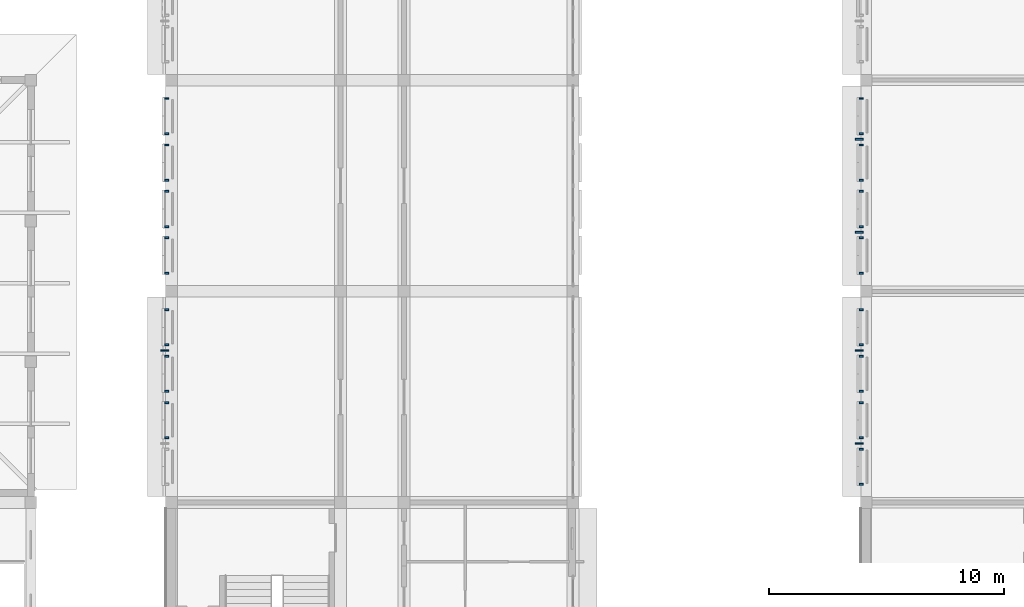
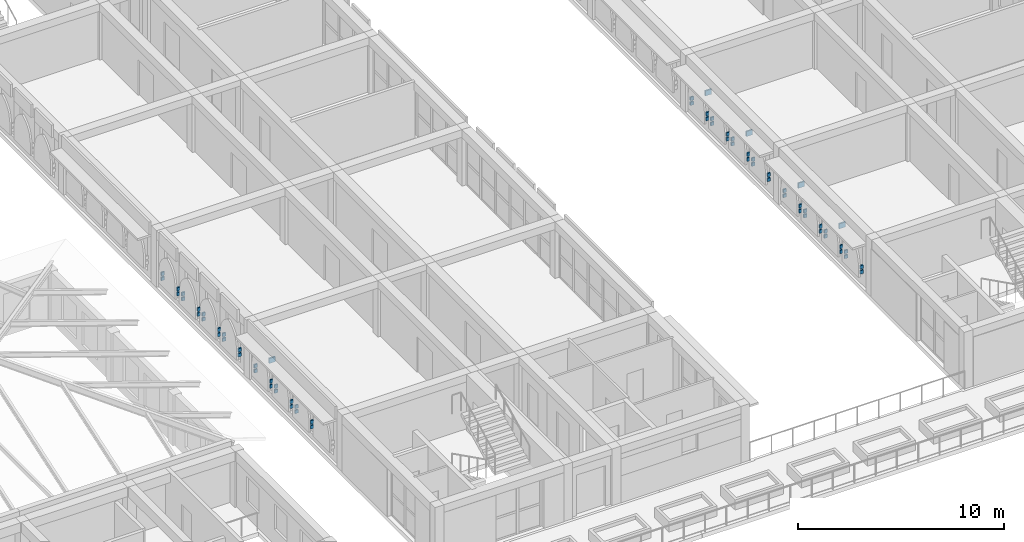
# One storey, part 62 of 82: 65 discrete accessories.
"""IFC4 building model written with IfcOpenShell, lengths in metres."""

from ifc_helpers import new_model, si_unit, direction, frame, origin, origin_2d, place, context, subcontext, project, spatial, rectangle, extrude, material, type_object, element, save


model = new_model("IFC4")

# Units and contexts
model_context = context("Model", 3, precision=1e-05, world=origin(), true_north=direction((0.0, 1.0)))
body_context = subcontext(model_context, "Body", "Model", "MODEL_VIEW")
ifc_project = project(units=[si_unit("LENGTHUNIT", "METRE"), si_unit("AREAUNIT", "SQUARE_METRE"), si_unit("VOLUMEUNIT", "CUBIC_METRE"), si_unit("PLANEANGLEUNIT", "RADIAN"), si_unit("MASSUNIT", "GRAM", prefix="KILO")], contexts=[model_context])

# Site, building, storey
site_placement = place(None, origin())
site = spatial("IfcSite", under=ifc_project, at=site_placement, CompositionType="ELEMENT")
building_placement = place(site_placement, origin())
building = spatial("IfcBuilding", under=site, at=building_placement, Name="Elbe Cascade School", CompositionType="ELEMENT")
storey_placement = place(building_placement, frame((0.0, 0.0, 4.5)))
storey = spatial("IfcBuildingStorey", under=building, at=storey_placement, Name="L01", CompositionType="ELEMENT", Elevation=4.5)

# Discrete accessories
ifc_material = material(Name="Steel S355J2, hot-dip galvanised", Category="steel")
discrete_accessory_type = type_object("IfcDiscreteAccessoryType", Name="Bars envelope Bracket, galvanised steel", PredefinedType="BRACKET", material=ifc_material)
discrete_accessory_placement = place(storey_placement, frame((68.705078125, 21.47998046875, 2.43017578125), z_axis=(0.0, 0.0, 1.0), x_axis=(0.0, 1.0, 0.0)))
element("IfcDiscreteAccessory", 1, at=discrete_accessory_placement, inside=storey, type_object=discrete_accessory_type, Name="Bracket AC7 eave.w.2.br2", PredefinedType="BRACKET", context=body_context, shape_type="SweptSolid", body=[
    extrude(rectangle(XDim=0.080078125, YDim=0.35009765625, at=origin_2d()), origin(), (0.0, 0.0, 1.0), 0.300048828125),
])
for number, where, z_axis, x_axis, name in (
    (2, (68.7900390625, 17.760009765625, 0.75), (0.0, 0.0, 1.0), (0.0, 1.0, 0.0), "Bracket AC7 jali.w.2.br2ll"),
    (3, (68.7900390625, 17.760009765625, 1.0400390625), (0.0, 0.0, 1.0), (0.0, 1.0, 0.0), "Bracket AC7 jali.w.2.br2lu"),
    (4, (68.7900390625, 19.260009765625, 0.75), (0.0, 0.0, 1.0), (0.0, 1.0, 0.0), "Bracket AC7 jali.w.2.br2rl"),
    (5, (68.7900390625, 19.260009765625, 1.0400390625), (0.0, 0.0, 1.0), (0.0, 1.0, 0.0), "Bracket AC7 jali.w.2.br2ru"),
    (6, (68.7900390625, 19.739990234375, 0.75), (0.0, 0.0, 1.0), (0.0, 1.0, 0.0), "Bracket AC7 jali.w.2.br3ll"),
    (7, (68.7900390625, 19.739990234375, 1.0400390625), (0.0, 0.0, 1.0), (0.0, 1.0, 0.0), "Bracket AC7 jali.w.2.br3lu"),
    (8, (68.7900390625, 21.239990234375, 0.75), (0.0, 0.0, 1.0), (0.0, 1.0, 0.0), "Bracket AC7 jali.w.2.br3rl"),
    (9, (68.7900390625, 21.239990234375, 1.0400390625), (0.0, 0.0, 1.0), (0.0, 1.0, 0.0), "Bracket AC7 jali.w.2.br3ru"),
    (10, (68.7900390625, 21.719970703125, 0.75), (0.0, 0.0, 1.0), (0.0, 1.0, 0.0), "Bracket AC7 jali.w.2.br4ll"),
    (11, (68.7900390625, 21.719970703125, 1.0400390625), (0.0, 0.0, 1.0), (0.0, 1.0, 0.0), "Bracket AC7 jali.w.2.br4lu"),
    (12, (68.7900390625, 23.219970703125, 0.75), (0.0, 0.0, 1.0), (0.0, 1.0, 0.0), "Bracket AC7 jali.w.2.br4rl"),
    (13, (68.7900390625, 23.219970703125, 1.0400390625), (0.0, 0.0, 1.0), (0.0, 1.0, 0.0), "Bracket AC7 jali.w.2.br4ru"),
    (14, (68.7900390625, 24.780029296875, 0.75), (0.0, 0.0, 1.0), (0.0, 1.0, 0.0), "Bracket AC7 jali.w.3.br1ll"),
    (15, (68.7900390625, 24.780029296875, 1.0400390625), (0.0, 0.0, 1.0), (0.0, 1.0, 0.0), "Bracket AC7 jali.w.3.br1lu"),
    (16, (68.7900390625, 26.280029296875, 0.75), (0.0, 0.0, 1.0), (0.0, 1.0, 0.0), "Bracket AC7 jali.w.3.br1rl"),
    (17, (68.7900390625, 26.280029296875, 1.0400390625), (0.0, 0.0, 1.0), (0.0, 1.0, 0.0), "Bracket AC7 jali.w.3.br1ru"),
    (18, (68.7900390625, 26.760009765625, 0.75), (0.0, 0.0, 1.0), (0.0, 1.0, 0.0), "Bracket AC7 jali.w.3.br2ll"),
    (19, (68.7900390625, 26.760009765625, 1.0400390625), (0.0, 0.0, 1.0), (0.0, 1.0, 0.0), "Bracket AC7 jali.w.3.br2lu"),
    (20, (68.7900390625, 28.260009765625, 0.75), (0.0, 0.0, 1.0), (0.0, 1.0, 0.0), "Bracket AC7 jali.w.3.br2rl"),
    (21, (68.7900390625, 28.260009765625, 1.0400390625), (0.0, 0.0, 1.0), (0.0, 1.0, 0.0), "Bracket AC7 jali.w.3.br2ru"),
    (22, (68.7900390625, 28.739990234375, 0.75), (0.0, 0.0, 1.0), (0.0, 1.0, 0.0), "Bracket AC7 jali.w.3.br3ll"),
    (23, (68.7900390625, 28.739990234375, 1.0400390625), (0.0, 0.0, 1.0), (0.0, 1.0, 0.0), "Bracket AC7 jali.w.3.br3lu"),
    (24, (68.7900390625, 30.239990234375, 0.75), (0.0, 0.0, 1.0), (0.0, 1.0, 0.0), "Bracket AC7 jali.w.3.br3rl"),
    (25, (68.7900390625, 30.239990234375, 1.0400390625), (0.0, 0.0, 1.0), (0.0, 1.0, 0.0), "Bracket AC7 jali.w.3.br3ru"),
    (26, (68.7900390625, 30.719970703125, 0.75), (0.0, 0.0, 1.0), (0.0, 1.0, 0.0), "Bracket AC7 jali.w.3.br4ll"),
    (27, (68.7900390625, 30.719970703125, 1.0400390625), (0.0, 0.0, 1.0), (0.0, 1.0, 0.0), "Bracket AC7 jali.w.3.br4lu"),
    (28, (68.7900390625, 32.219970703125, 0.75), (0.0, 0.0, 1.0), (0.0, 1.0, 0.0), "Bracket AC7 jali.w.3.br4rl"),
    (29, (68.7900390625, 32.219970703125, 1.0400390625), (0.0, 0.0, 1.0), (0.0, 1.0, 0.0), "Bracket AC7 jali.w.3.br4ru"),
):
    element("IfcDiscreteAccessory", number, at=place(storey_placement, frame(where, z_axis=z_axis, x_axis=x_axis)), inside=storey, type_object=discrete_accessory_type, Name=name, PredefinedType="BRACKET", context=body_context, shape_type="SweptSolid", body=[
        extrude(rectangle(XDim=0.080078125, YDim=0.179931640625, at=origin_2d()), origin(), (0.0, 0.0, 1.0), 0.199951171875),
    ])
for number, where, z_axis, x_axis, name in (
    (30, (98.304931640625, 17.52001953125, 2.43017578125), (0.0, 0.0, 1.0), (0.0, 1.0, 0.0), "Bracket AC7 eave.w.2.br1"),
    (31, (98.304931640625, 21.47998046875, 2.43017578125), (0.0, 0.0, 1.0), (0.0, 1.0, 0.0), "Bracket AC7 eave.w.2.br2"),
):
    element("IfcDiscreteAccessory", number, at=place(storey_placement, frame(where, z_axis=z_axis, x_axis=x_axis)), inside=storey, type_object=discrete_accessory_type, Name=name, PredefinedType="BRACKET", context=body_context, shape_type="SweptSolid", body=[
        extrude(rectangle(XDim=0.080078125, YDim=0.35009765625, at=origin_2d()), origin(), (0.0, 0.0, 1.0), 0.300048828125),
    ])
for number, where, z_axis, x_axis, name in (
    (32, (98.389892578125, 15.780029296875, 0.75), (0.0, 0.0, 1.0), (0.0, 1.0, 0.0), "Bracket AC7 jali.w.2.br1ll"),
    (33, (98.389892578125, 15.780029296875, 1.0400390625), (0.0, 0.0, 1.0), (0.0, 1.0, 0.0), "Bracket AC7 jali.w.2.br1lu"),
    (34, (98.389892578125, 17.280029296875, 0.75), (0.0, 0.0, 1.0), (0.0, 1.0, 0.0), "Bracket AC7 jali.w.2.br1rl"),
    (35, (98.389892578125, 17.280029296875, 1.0400390625), (0.0, 0.0, 1.0), (0.0, 1.0, 0.0), "Bracket AC7 jali.w.2.br1ru"),
    (36, (98.389892578125, 17.760009765625, 0.75), (0.0, 0.0, 1.0), (0.0, 1.0, 0.0), "Bracket AC7 jali.w.2.br2ll"),
    (37, (98.389892578125, 17.760009765625, 1.0400390625), (0.0, 0.0, 1.0), (0.0, 1.0, 0.0), "Bracket AC7 jali.w.2.br2lu"),
    (38, (98.389892578125, 19.260009765625, 0.75), (0.0, 0.0, 1.0), (0.0, 1.0, 0.0), "Bracket AC7 jali.w.2.br2rl"),
    (39, (98.389892578125, 19.260009765625, 1.0400390625), (0.0, 0.0, 1.0), (0.0, 1.0, 0.0), "Bracket AC7 jali.w.2.br2ru"),
    (40, (98.389892578125, 19.739990234375, 0.75), (0.0, 0.0, 1.0), (0.0, 1.0, 0.0), "Bracket AC7 jali.w.2.br3ll"),
    (41, (98.389892578125, 19.739990234375, 1.0400390625), (0.0, 0.0, 1.0), (0.0, 1.0, 0.0), "Bracket AC7 jali.w.2.br3lu"),
    (42, (98.389892578125, 21.239990234375, 0.75), (0.0, 0.0, 1.0), (0.0, 1.0, 0.0), "Bracket AC7 jali.w.2.br3rl"),
    (43, (98.389892578125, 21.239990234375, 1.0400390625), (0.0, 0.0, 1.0), (0.0, 1.0, 0.0), "Bracket AC7 jali.w.2.br3ru"),
    (44, (98.389892578125, 21.719970703125, 0.75), (0.0, 0.0, 1.0), (0.0, 1.0, 0.0), "Bracket AC7 jali.w.2.br4ll"),
    (45, (98.389892578125, 21.719970703125, 1.0400390625), (0.0, 0.0, 1.0), (0.0, 1.0, 0.0), "Bracket AC7 jali.w.2.br4lu"),
    (46, (98.389892578125, 23.219970703125, 0.75), (0.0, 0.0, 1.0), (0.0, 1.0, 0.0), "Bracket AC7 jali.w.2.br4rl"),
    (47, (98.389892578125, 23.219970703125, 1.0400390625), (0.0, 0.0, 1.0), (0.0, 1.0, 0.0), "Bracket AC7 jali.w.2.br4ru"),
):
    element("IfcDiscreteAccessory", number, at=place(storey_placement, frame(where, z_axis=z_axis, x_axis=x_axis)), inside=storey, type_object=discrete_accessory_type, Name=name, PredefinedType="BRACKET", context=body_context, shape_type="SweptSolid", body=[
        extrude(rectangle(XDim=0.080078125, YDim=0.179931640625, at=origin_2d()), origin(), (0.0, 0.0, 1.0), 0.199951171875),
    ])
for number, where, z_axis, x_axis, name in (
    (48, (98.304931640625, 26.52001953125, 2.43017578125), (0.0, 0.0, 1.0), (0.0, 1.0, 0.0), "Bracket AC7 eave.w.3.br1"),
    (49, (98.304931640625, 30.47998046875, 2.43017578125), (0.0, 0.0, 1.0), (0.0, 1.0, 0.0), "Bracket AC7 eave.w.3.br2"),
):
    element("IfcDiscreteAccessory", number, at=place(storey_placement, frame(where, z_axis=z_axis, x_axis=x_axis)), inside=storey, type_object=discrete_accessory_type, Name=name, PredefinedType="BRACKET", context=body_context, shape_type="SweptSolid", body=[
        extrude(rectangle(XDim=0.080078125, YDim=0.35009765625, at=origin_2d()), origin(), (0.0, 0.0, 1.0), 0.300048828125),
    ])
for number, where, z_axis, x_axis, name in (
    (50, (98.389892578125, 24.780029296875, 0.75), (0.0, 0.0, 1.0), (0.0, 1.0, 0.0), "Bracket AC7 jali.w.3.br1ll"),
    (51, (98.389892578125, 24.780029296875, 1.0400390625), (0.0, 0.0, 1.0), (0.0, 1.0, 0.0), "Bracket AC7 jali.w.3.br1lu"),
    (52, (98.389892578125, 26.280029296875, 0.75), (0.0, 0.0, 1.0), (0.0, 1.0, 0.0), "Bracket AC7 jali.w.3.br1rl"),
    (53, (98.389892578125, 26.280029296875, 1.0400390625), (0.0, 0.0, 1.0), (0.0, 1.0, 0.0), "Bracket AC7 jali.w.3.br1ru"),
    (54, (98.389892578125, 26.760009765625, 0.75), (0.0, 0.0, 1.0), (0.0, 1.0, 0.0), "Bracket AC7 jali.w.3.br2ll"),
    (55, (98.389892578125, 26.760009765625, 1.0400390625), (0.0, 0.0, 1.0), (0.0, 1.0, 0.0), "Bracket AC7 jali.w.3.br2lu"),
    (56, (98.389892578125, 28.260009765625, 0.75), (0.0, 0.0, 1.0), (0.0, 1.0, 0.0), "Bracket AC7 jali.w.3.br2rl"),
    (57, (98.389892578125, 28.260009765625, 1.0400390625), (0.0, 0.0, 1.0), (0.0, 1.0, 0.0), "Bracket AC7 jali.w.3.br2ru"),
    (58, (98.389892578125, 28.739990234375, 0.75), (0.0, 0.0, 1.0), (0.0, 1.0, 0.0), "Bracket AC7 jali.w.3.br3ll"),
    (59, (98.389892578125, 28.739990234375, 1.0400390625), (0.0, 0.0, 1.0), (0.0, 1.0, 0.0), "Bracket AC7 jali.w.3.br3lu"),
    (60, (98.389892578125, 30.239990234375, 0.75), (0.0, 0.0, 1.0), (0.0, 1.0, 0.0), "Bracket AC7 jali.w.3.br3rl"),
    (61, (98.389892578125, 30.239990234375, 1.0400390625), (0.0, 0.0, 1.0), (0.0, 1.0, 0.0), "Bracket AC7 jali.w.3.br3ru"),
    (62, (98.389892578125, 30.719970703125, 0.75), (0.0, 0.0, 1.0), (0.0, 1.0, 0.0), "Bracket AC7 jali.w.3.br4ll"),
    (63, (98.389892578125, 30.719970703125, 1.0400390625), (0.0, 0.0, 1.0), (0.0, 1.0, 0.0), "Bracket AC7 jali.w.3.br4lu"),
    (64, (98.389892578125, 32.219970703125, 0.75), (0.0, 0.0, 1.0), (0.0, 1.0, 0.0), "Bracket AC7 jali.w.3.br4rl"),
    (65, (98.389892578125, 32.219970703125, 1.0400390625), (0.0, 0.0, 1.0), (0.0, 1.0, 0.0), "Bracket AC7 jali.w.3.br4ru"),
):
    element("IfcDiscreteAccessory", number, at=place(storey_placement, frame(where, z_axis=z_axis, x_axis=x_axis)), inside=storey, type_object=discrete_accessory_type, Name=name, PredefinedType="BRACKET", context=body_context, shape_type="SweptSolid", body=[
        extrude(rectangle(XDim=0.080078125, YDim=0.179931640625, at=origin_2d()), origin(), (0.0, 0.0, 1.0), 0.199951171875),
    ])

save(model, "model.ifc")
